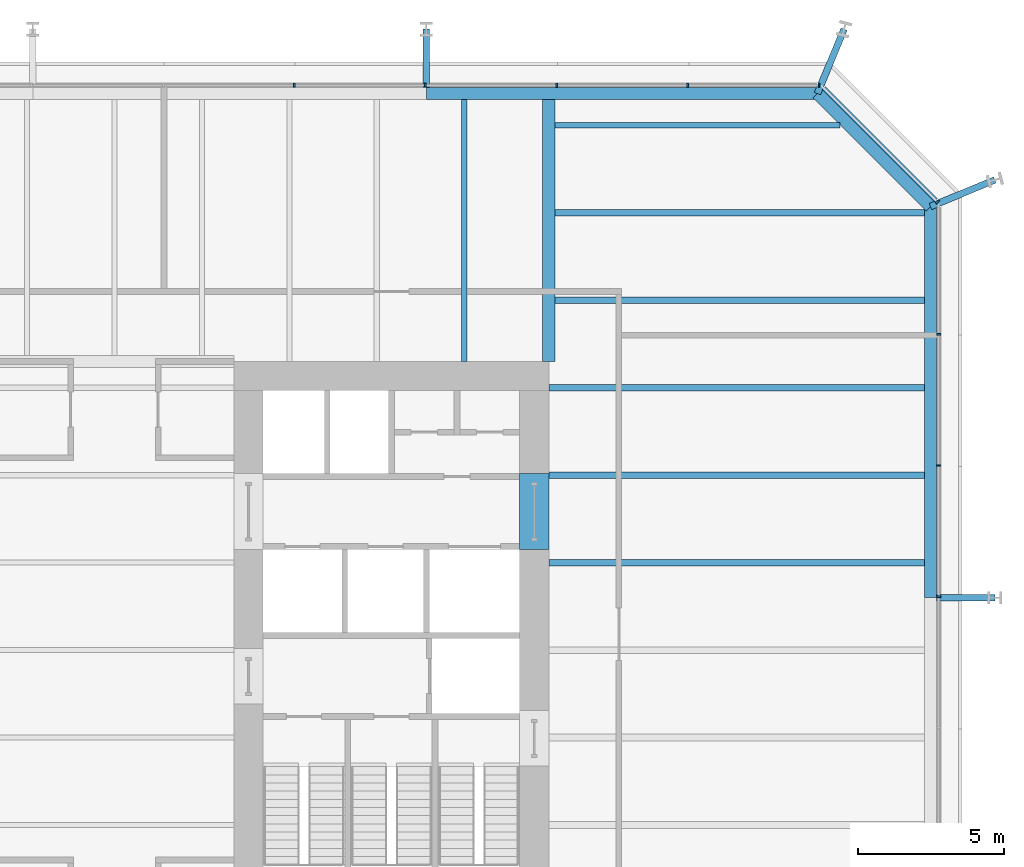
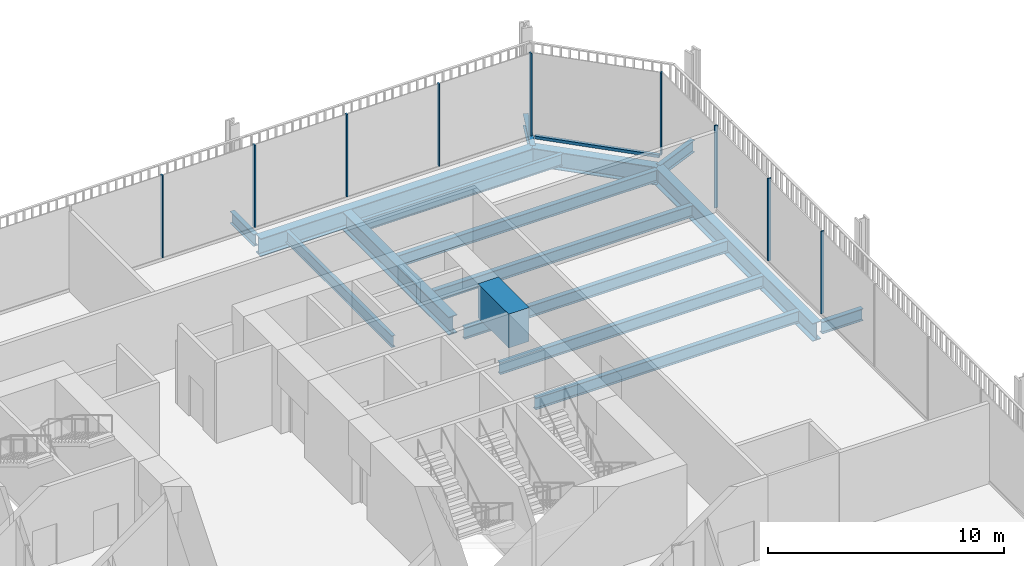
# One storey, part 14 of 20: 16 beams, 10 members, 3 elements without a shape of their own.
"""IFC4 building model written with IfcOpenShell, lengths in metres."""

from ifc_helpers import new_model, si_unit, direction, frame, origin, origin_2d, place, context, subcontext, project, spatial, rectangle, i_section, extrude, material, layer, layer_set, material_profile, profile_set, type_object, element, aggregate, save


model = new_model("IFC4")

# Units and contexts
model_context = context("Model", 3, precision=1e-05, world=origin(), true_north=direction((0.0, 1.0)))
body_context = subcontext(model_context, "Body", "Model", "MODEL_VIEW")
ifc_project = project(units=[si_unit("LENGTHUNIT", "METRE"), si_unit("AREAUNIT", "SQUARE_METRE"), si_unit("VOLUMEUNIT", "CUBIC_METRE"), si_unit("PLANEANGLEUNIT", "RADIAN"), si_unit("MASSUNIT", "GRAM", prefix="KILO")], contexts=[model_context])

# Site, building, storey
site_placement = place(None, origin())
site = spatial("IfcSite", under=ifc_project, at=site_placement, CompositionType="ELEMENT")
building_placement = place(site_placement, origin())
building = spatial("IfcBuilding", under=site, at=building_placement, Name="Millrace Tower", CompositionType="ELEMENT")
storey_placement = place(building_placement, frame((0.0, 0.0, 108.39990234375)))
storey = spatial("IfcBuildingStorey", under=building, at=storey_placement, Name="L24", CompositionType="ELEMENT", Elevation=108.39990234375)

# Curtain wall, members
ifc_material_1 = material(Name="Aluminium and glass", Category="aluminium")
ifc_layer = layer(ifc_material_1, 0.14990234375)
ifc_layer_set = layer_set([ifc_layer], Name="Aluminium and glass")
curtain_wall_type = type_object("IfcCurtainWallType", Name="CW-3 telecom floor curtain wall", PredefinedType="NOTDEFINED", material=ifc_layer_set)
placement = place(storey_placement, origin())
curtain_wall_1 = element("IfcCurtainWall", 1, at=placement, inside=storey, type_object=curtain_wall_type, Name="Curtain wall B-F04 L24", PredefinedType="NOTDEFINED")
ifc_material_2 = material(Name="Aluminium", Category="aluminium")
ifc_material_profile_1 = material_profile(ifc_material_2, rectangle(XDim=0.06494140625, YDim=0.14990234375, at=origin_2d()))
ifc_profile_set_1 = profile_set([ifc_material_profile_1], Name="Aluminium")
member_type_1 = type_object("IfcMemberType", Name="CW-3 telecom floor curtain wall mullion", PredefinedType="MULLION", material=ifc_profile_set_1)
member_1_placement = place(storey_placement, frame((28.27490234375, 1.83251953125, 0.150146484375), z_axis=(0.0, 0.0, 1.0), x_axis=(0.0, 1.0, 0.0)))
member_1 = element("IfcMember", 2, at=member_1_placement, type_object=member_type_1, Name="CW3 mullion B-F04.7", PredefinedType="MULLION", context=body_context, shape_type="SweptSolid", body=[
    extrude(rectangle(XDim=0.06494140625, YDim=0.14990234375, at=origin_2d()), origin(), (0.0, 0.0, 1.0), 4.25),
])
member_2_placement = place(storey_placement, frame((28.27490234375, 6.33251953125, 0.150146484375), z_axis=(0.0, 0.0, 1.0), x_axis=(0.0, 1.0, 0.0)))
member_2 = element("IfcMember", 3, at=member_2_placement, type_object=member_type_1, Name="CW3 mullion B-F04.8", PredefinedType="MULLION", context=body_context, shape_type="SweptSolid", body=[
    extrude(rectangle(XDim=0.06494140625, YDim=0.14990234375, at=origin_2d()), origin(), (0.0, 0.0, 1.0), 4.25),
])
member_3_placement = place(storey_placement, frame((28.27490234375, 10.83251953125, 0.150146484375), z_axis=(0.0, 0.0, 1.0), x_axis=(0.0, 1.0, 0.0)))
member_3 = element("IfcMember", 4, at=member_3_placement, type_object=member_type_1, Name="CW3 mullion B-F04.9", PredefinedType="MULLION", context=body_context, shape_type="SweptSolid", body=[
    extrude(rectangle(XDim=0.06494140625, YDim=0.14990234375, at=origin_2d()), origin(), (0.0, 0.0, 1.0), 4.25),
])
aggregate(curtain_wall_1, [member_1, member_2, member_3])

# Curtain wall, member
curtain_wall_2 = element("IfcCurtainWall", 5, at=placement, inside=storey, type_object=curtain_wall_type, Name="Curtain wall B-F05 L24", PredefinedType="NOTDEFINED")
member_4_placement = place(storey_placement, frame((28.22998046875, 15.3759765625, 0.150146484375), z_axis=(0.0, 0.0, 1.0), x_axis=(-0.707106781187, 0.707106781187, 0.0)))
member_4 = element("IfcMember", 6, at=member_4_placement, type_object=member_type_1, Name="CW3 mullion B-F05.1", PredefinedType="MULLION", context=body_context, shape_type="SweptSolid", body=[
    extrude(rectangle(XDim=0.06494140625, YDim=0.14990234375, at=origin_2d()), origin(), (0.0, 0.0, 1.0), 4.25),
])

# Curtain wall, members
curtain_wall_3 = element("IfcCurtainWall", 7, at=placement, inside=storey, type_object=curtain_wall_type, Name="Curtain wall B-F06 L24", PredefinedType="NOTDEFINED")
member_5_placement = place(storey_placement, frame((24.16748046875, 19.375, 0.150146484375), z_axis=(0.0, 0.0, 1.0), x_axis=(-1.0, 0.0, 0.0)))
member_5 = element("IfcMember", 8, at=member_5_placement, type_object=member_type_1, Name="CW3 mullion B-F06.1", PredefinedType="MULLION", context=body_context, shape_type="SweptSolid", body=[
    extrude(rectangle(XDim=0.06494140625, YDim=0.14990234375, at=origin_2d()), origin(), (0.0, 0.0, 1.0), 4.25),
])
member_6_placement = place(storey_placement, frame((19.66748046875, 19.375, 0.150146484375), z_axis=(0.0, 0.0, 1.0), x_axis=(-1.0, 0.0, 0.0)))
member_6 = element("IfcMember", 9, at=member_6_placement, type_object=member_type_1, Name="CW3 mullion B-F06.2", PredefinedType="MULLION", context=body_context, shape_type="SweptSolid", body=[
    extrude(rectangle(XDim=0.06494140625, YDim=0.14990234375, at=origin_2d()), origin(), (0.0, 0.0, 1.0), 4.25),
])
member_7_placement = place(storey_placement, frame((15.16748046875, 19.375, 0.150146484375), z_axis=(0.0, 0.0, 1.0), x_axis=(-1.0, 0.0, 0.0)))
member_7 = element("IfcMember", 10, at=member_7_placement, type_object=member_type_1, Name="CW3 mullion B-F06.3", PredefinedType="MULLION", context=body_context, shape_type="SweptSolid", body=[
    extrude(rectangle(XDim=0.06494140625, YDim=0.14990234375, at=origin_2d()), origin(), (0.0, 0.0, 1.0), 4.25),
])
member_8_placement = place(storey_placement, frame((10.66748046875, 19.375, 0.150146484375), z_axis=(0.0, 0.0, 1.0), x_axis=(-1.0, 0.0, 0.0)))
member_8 = element("IfcMember", 11, at=member_8_placement, type_object=member_type_1, Name="CW3 mullion B-F06.4", PredefinedType="MULLION", context=body_context, shape_type="SweptSolid", body=[
    extrude(rectangle(XDim=0.06494140625, YDim=0.14990234375, at=origin_2d()), origin(), (0.0, 0.0, 1.0), 4.25),
])
member_9_placement = place(storey_placement, frame((6.16748046875, 19.375, 0.150146484375), z_axis=(0.0, 0.0, 1.0), x_axis=(-1.0, 0.0, 0.0)))
member_9 = element("IfcMember", 12, at=member_9_placement, type_object=member_type_1, Name="CW3 mullion B-F06.5", PredefinedType="MULLION", context=body_context, shape_type="SweptSolid", body=[
    extrude(rectangle(XDim=0.06494140625, YDim=0.14990234375, at=origin_2d()), origin(), (0.0, 0.0, 1.0), 4.25),
])
aggregate(curtain_wall_3, [member_5, member_6, member_7, member_8, member_9])

# Member
ifc_material_3 = material(Name="Aluminium", Category="aluminium")
ifc_material_profile_2 = material_profile(ifc_material_3, rectangle(XDim=0.14990234375, YDim=0.14990234375, at=origin_2d()))
ifc_profile_set_2 = profile_set([ifc_material_profile_2], Name="Aluminium")
member_type_2 = type_object("IfcMemberType", Name="CW-3 telecom floor curtain wall transom", PredefinedType="USERDEFINED", material=ifc_profile_set_2)
member_10_placement = place(storey_placement, frame((28.182373046875, 15.423828125, 0.0751953125), z_axis=(-0.707129151258, 0.707084410407, 0.0), x_axis=(-0.707084410407, -0.707129151258, 0.0)))
member_10 = element("IfcMember", 13, at=member_10_placement, type_object=member_type_2, Name="CW3 transom B-F05.1", ObjectType="TRANSOM", PredefinedType="USERDEFINED", context=body_context, shape_type="SweptSolid", body=[
    extrude(rectangle(XDim=0.14990234375, YDim=0.14990234375, at=origin_2d()), origin(), (0.0, 0.0, 1.0), 5.456787109375),
])

aggregate(curtain_wall_2, [member_4, member_10])

# Beams
ifc_material_4 = material(Name="Concrete C80", Category="concrete")
ifc_material_profile_3 = material_profile(ifc_material_4, rectangle(XDim=1.0, YDim=1.75, at=origin_2d()))
ifc_profile_set_3 = profile_set([ifc_material_profile_3], Name="Concrete C80")
beam_type_1 = type_object("IfcBeamType", Name="Coupling beam 1000 x 1750 Concrete C80, 2000 opening", PredefinedType="BEAM", material=ifc_profile_set_3)
beam_1_placement = place(storey_placement, frame((14.39990234375, 6.050048828125, 3.275146484375), z_axis=(0.0, -1.0, 0.0), x_axis=(1.0, 0.0, 0.0)))
element("IfcBeam", 14, at=beam_1_placement, inside=storey, type_object=beam_type_1, Name="Coupling beam E L24", PredefinedType="BEAM", context=body_context, shape_type="SweptSolid", body=[
    extrude(rectangle(XDim=1.0, YDim=1.75, at=origin_2d()), origin(), (0.0, 0.0, 1.0), 2.60009765625),
])
ifc_material_5 = material(Name="Steel ASTM A992 Grade 50", Category="steel")
ifc_material_profile_4 = material_profile(ifc_material_5, i_section(OverallWidth=0.177978515625, OverallDepth=0.599365234375, WebThickness=0.010009765625, FlangeThickness=0.012939453125, FilletRadius=0.012939453125, at=origin_2d()))
ifc_profile_set_4 = profile_set([ifc_material_profile_4], Name="Steel ASTM A992 Grade 50")
beam_type_2 = type_object("IfcBeamType", Name="Floor beam W24x55", PredefinedType="JOIST", material=ifc_profile_set_4)
beam_2_placement = place(storey_placement, frame((12.0, 9.89990234375, -0.49951171875), z_axis=(0.0, 1.0, 0.0), x_axis=(-1.0, 0.0, 0.0)))
element("IfcBeam", 15, at=beam_2_placement, inside=storey, type_object=beam_type_2, Name="BM-B-L24-S1-S056", PredefinedType="JOIST", context=body_context, shape_type="SweptSolid", body=[
    extrude(i_section(OverallWidth=0.177978515625, OverallDepth=0.599365234375, WebThickness=0.010009765625, FlangeThickness=0.012939453125, FilletRadius=0.012939453125, at=origin_2d()), origin(), (0.0, 0.0, 1.0), 8.98095703125),
])
beam_3_placement = place(storey_placement, frame((15.11083984375, 18.0, -0.49951171875), z_axis=(1.0, 0.0, 0.0), x_axis=(0.0, 1.0, 0.0)))
element("IfcBeam", 16, at=beam_3_placement, inside=storey, type_object=beam_type_2, Name="BM-B-L24-S1-S039", PredefinedType="JOIST", context=body_context, shape_type="SweptSolid", body=[
    extrude(i_section(OverallWidth=0.177978515625, OverallDepth=0.599365234375, WebThickness=0.010009765625, FlangeThickness=0.012939453125, FilletRadius=0.012939453125, at=origin_2d()), origin(), (0.0, 0.0, 1.0), 9.7724609375),
])
ifc_material_6 = material(Name="Steel ASTM A992 Grade 50", Category="steel")
ifc_material_profile_5 = material_profile(ifc_material_6, i_section(OverallWidth=0.228271484375, OverallDepth=0.607177734375, WebThickness=0.01123046875, FlangeThickness=0.017333984375, FilletRadius=0.0126953125, at=origin_2d()))
ifc_profile_set_5 = profile_set([ifc_material_profile_5], Name="Steel ASTM A992 Grade 50")
beam_type_3 = type_object("IfcBeamType", Name="Floor beam W24x76", PredefinedType="JOIST", material=ifc_profile_set_5)
for number, where, z_axis, x_axis, name in (
    (17, (14.89990234375, 3.0, -0.50341796875), (1.0, 0.0, 0.0), (0.0, 1.0, 0.0), "BM-B-L24-S1-S027"),
    (18, (14.89990234375, 6.0, -0.50341796875), (1.0, 0.0, 0.0), (0.0, 1.0, 0.0), "BM-B-L24-S1-S030"),
    (19, (14.89990234375, 9.0, -0.50341796875), (1.0, 0.0, 0.0), (0.0, 1.0, 0.0), "BM-B-L24-S1-S033"),
):
    element("IfcBeam", number, at=place(storey_placement, frame(where, z_axis=z_axis, x_axis=x_axis)), inside=storey, type_object=beam_type_3, Name=name, PredefinedType="JOIST", context=body_context, shape_type="SweptSolid", body=[
        extrude(i_section(OverallWidth=0.228271484375, OverallDepth=0.607177734375, WebThickness=0.01123046875, FlangeThickness=0.017333984375, FilletRadius=0.0126953125, at=origin_2d()), origin(), (0.0, 0.0, 1.0), 12.881103515625),
    ])
for number, where, z_axis, x_axis, name in (
    (20, (15.11083984375, 12.0, -0.50341796875), (1.0, 0.0, 0.0), (0.0, 1.0, 0.0), "BM-B-L24-S1-S035"),
    (21, (15.11083984375, 15.0, -0.50341796875), (1.0, 0.0, 0.0), (0.0, 1.0, 0.0), "BM-B-L24-S1-S037"),
):
    element("IfcBeam", number, at=place(storey_placement, frame(where, z_axis=z_axis, x_axis=x_axis)), inside=storey, type_object=beam_type_3, Name=name, PredefinedType="JOIST", context=body_context, shape_type="SweptSolid", body=[
        extrude(i_section(OverallWidth=0.228271484375, OverallDepth=0.607177734375, WebThickness=0.01123046875, FlangeThickness=0.017333984375, FilletRadius=0.0126953125, at=origin_2d()), origin(), (0.0, 0.0, 1.0), 12.670166015625),
    ])
ifc_material_7 = material(Name="Steel ASTM A992 Grade 50", Category="steel")
ifc_material_profile_6 = material_profile(ifc_material_7, i_section(OverallWidth=0.421630859375, OverallDepth=0.937255859375, WebThickness=0.021240234375, FlangeThickness=0.03662109375, FilletRadius=0.024169921875, at=origin_2d()))
ifc_profile_set_6 = profile_set([ifc_material_profile_6], Name="Steel ASTM A992 Grade 50")
beam_type_4 = type_object("IfcBeamType", Name="Girder short span W36x262", PredefinedType="BEAM", material=ifc_profile_set_6)
beam_4_placement = place(storey_placement, frame((14.89990234375, 9.89990234375, -0.66845703125), z_axis=(0.0, 1.0, 0.0), x_axis=(-1.0, 0.0, 0.0)))
element("IfcBeam", 22, at=beam_4_placement, inside=storey, type_object=beam_type_4, Name="BM-B-L24-S1-G060", PredefinedType="BEAM", context=body_context, shape_type="SweptSolid", body=[
    extrude(i_section(OverallWidth=0.421630859375, OverallDepth=0.937255859375, WebThickness=0.021240234375, FlangeThickness=0.03662109375, FilletRadius=0.024169921875, at=origin_2d()), origin(), (0.0, 0.0, 1.0), 8.98095703125),
])
ifc_material_8 = material(Name="Steel ASTM A992 Grade 50", Category="steel")
ifc_material_profile_7 = material_profile(ifc_material_8, i_section(OverallWidth=0.23046875, OverallDepth=0.6171875, WebThickness=0.01318359375, FlangeThickness=0.022216796875, FilletRadius=0.012939453125, at=origin_2d()))
ifc_profile_set_7 = profile_set([ifc_material_profile_7], Name="Steel ASTM A992 Grade 50")
beam_type_5 = type_object("IfcBeamType", Name="Link beam W24x94", PredefinedType="BEAM", material=ifc_profile_set_7)
beam_5_placement = place(storey_placement, frame((10.699951171875, 19.300048828125, -0.508544921875), z_axis=(0.0, 1.0, 0.0), x_axis=(-1.0, 0.0, 0.0)))
element("IfcBeam", 23, at=beam_5_placement, inside=storey, type_object=beam_type_5, Name="LNK-B-L24-S1-07", PredefinedType="BEAM", context=body_context, shape_type="SweptSolid", body=[
    extrude(i_section(OverallWidth=0.23046875, OverallDepth=0.6171875, WebThickness=0.01318359375, FlangeThickness=0.022216796875, FilletRadius=0.012939453125, at=origin_2d()), origin(), (0.0, 0.0, 1.0), 2.0),
])
for number, where, z_axis, x_axis, name in (
    (24, (24.11328125, 19.09033203125, -0.508544921875), (0.382592209583, 0.923917312949, 0.0), (-0.923917312949, 0.382592209583, 0.0), "LNK-B-L24-S1-08"),
    (25, (27.990478515625, 15.213134765625, -0.508544921875), (0.92386627665, 0.382715433277, 0.0), (-0.382715433277, 0.92386627665, 0.0), "LNK-B-L24-S1-09"),
):
    element("IfcBeam", number, at=place(storey_placement, frame(where, z_axis=z_axis, x_axis=x_axis)), inside=storey, type_object=beam_type_5, Name=name, PredefinedType="BEAM", context=body_context, shape_type="SweptSolid", body=[
        extrude(i_section(OverallWidth=0.23046875, OverallDepth=0.6171875, WebThickness=0.01318359375, FlangeThickness=0.022216796875, FilletRadius=0.012939453125, at=origin_2d()), origin(), (0.0, 0.0, 1.0), 2.3916015625),
    ])
beam_6_placement = place(storey_placement, frame((28.199951171875, 1.800048828125, -0.508544921875), z_axis=(1.0, 0.0, 0.0), x_axis=(0.0, 1.0, 0.0)))
element("IfcBeam", 26, at=beam_6_placement, inside=storey, type_object=beam_type_5, Name="LNK-B-L24-S1-10", PredefinedType="BEAM", context=body_context, shape_type="SweptSolid", body=[
    extrude(i_section(OverallWidth=0.23046875, OverallDepth=0.6171875, WebThickness=0.01318359375, FlangeThickness=0.022216796875, FilletRadius=0.012939453125, at=origin_2d()), origin(), (0.0, 0.0, 1.0), 2.0),
])
ifc_material_9 = material(Name="Steel ASTM A992 Grade 50", Category="steel")
ifc_material_profile_8 = material_profile(ifc_material_9, i_section(OverallWidth=0.419189453125, OverallDepth=0.927001953125, WebThickness=0.019287109375, FlangeThickness=0.031982421875, FilletRadius=0.024169921875, at=origin_2d()))
ifc_profile_set_8 = profile_set([ifc_material_profile_8], Name="Steel ASTM A992 Grade 50")
beam_type_6 = type_object("IfcBeamType", Name="Ring beam medium span W36x231", PredefinedType="SPANDREL", material=ifc_profile_set_8)
beam_7_placement = place(storey_placement, frame((10.699951171875, 19.09033203125, -0.66357421875), z_axis=(1.0, 0.0, 0.0), x_axis=(0.0, 1.0, 0.0)))
element("IfcBeam", 27, at=beam_7_placement, inside=storey, type_object=beam_type_6, Name="RNG-B-L24-S1-07", PredefinedType="SPANDREL", context=body_context, shape_type="SweptSolid", body=[
    extrude(i_section(OverallWidth=0.419189453125, OverallDepth=0.927001953125, WebThickness=0.019287109375, FlangeThickness=0.031982421875, FilletRadius=0.024169921875, at=origin_2d()), origin(), (0.0, 0.0, 1.0), 13.413330078125),
])
beam_8_placement = place(storey_placement, frame((27.990478515625, 15.213134765625, -0.66357421875), z_axis=(0.0, -1.0, 0.0), x_axis=(1.0, 0.0, 0.0)))
element("IfcBeam", 28, at=beam_8_placement, inside=storey, type_object=beam_type_6, Name="RNG-B-L24-S1-09", PredefinedType="SPANDREL", context=body_context, shape_type="SweptSolid", body=[
    extrude(i_section(OverallWidth=0.419189453125, OverallDepth=0.927001953125, WebThickness=0.019287109375, FlangeThickness=0.031982421875, FilletRadius=0.024169921875, at=origin_2d()), origin(), (0.0, 0.0, 1.0), 13.4130859375),
])
ifc_material_10 = material(Name="Steel ASTM A992 Grade 50", Category="steel")
ifc_material_profile_9 = material_profile(ifc_material_10, i_section(OverallWidth=0.419189453125, OverallDepth=0.927001953125, WebThickness=0.019287109375, FlangeThickness=0.031982421875, FilletRadius=0.024169921875, at=origin_2d()))
ifc_profile_set_9 = profile_set([ifc_material_profile_9], Name="Steel ASTM A992 Grade 50")
beam_type_7 = type_object("IfcBeamType", Name="Ring beam short span W36x231", PredefinedType="SPANDREL", material=ifc_profile_set_9)
beam_9_placement = place(storey_placement, frame((24.11328125, 19.09033203125, -0.66357421875), z_axis=(0.707106781187, -0.707106781187, 0.0), x_axis=(0.707106781187, 0.707106781187, 0.0)))
element("IfcBeam", 29, at=beam_9_placement, inside=storey, type_object=beam_type_7, Name="RNG-B-L24-S1-08", PredefinedType="SPANDREL", context=body_context, shape_type="SweptSolid", body=[
    extrude(i_section(OverallWidth=0.419189453125, OverallDepth=0.927001953125, WebThickness=0.019287109375, FlangeThickness=0.031982421875, FilletRadius=0.024169921875, at=origin_2d()), origin(), (0.0, 0.0, 1.0), 5.483154296875),
])

save(model, "model.ifc")
